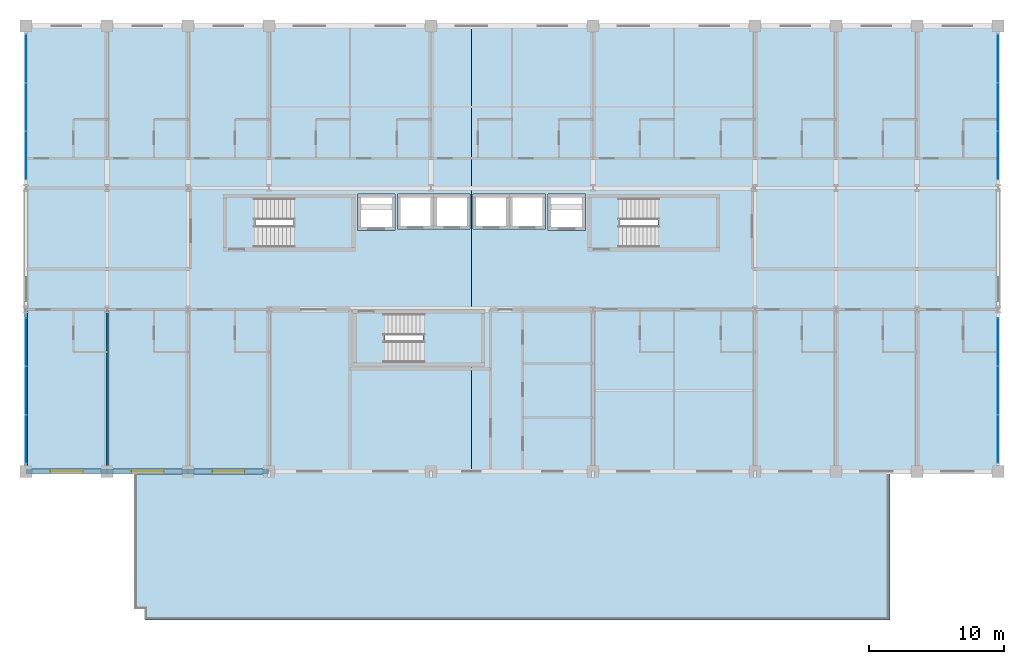
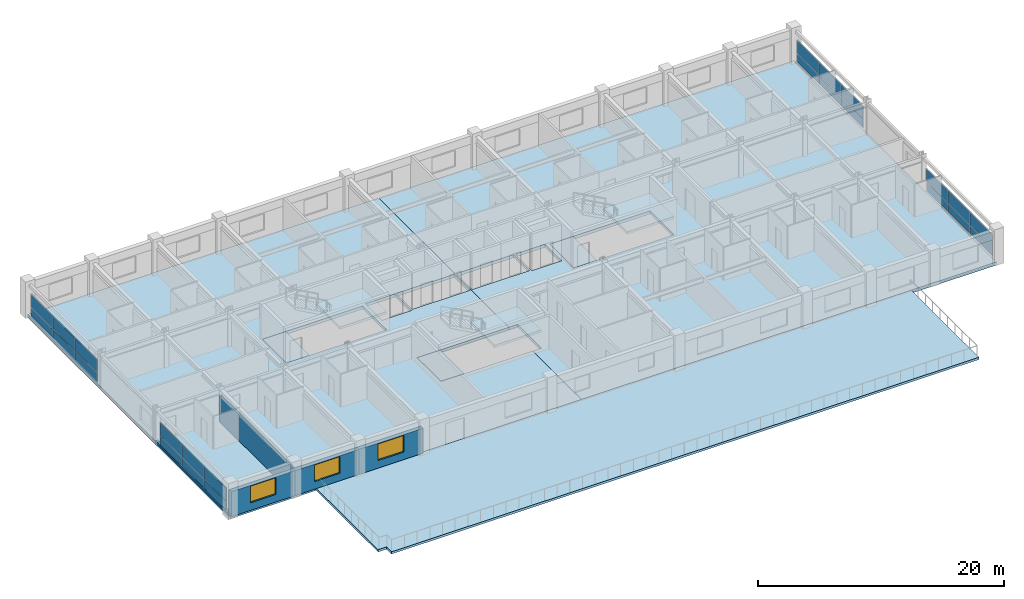
# One storey, part 15 of 24: 24 plates, 9 slabs, 5 walls, 3 windows, 3 openings, 7 elements without a shape of their own.
"""IFC4 building model written with IfcOpenShell, lengths in metres."""

from ifc_helpers import new_model, si_unit, direction, frame, frame_2d, origin, origin_2d, place, context, subcontext, project, spatial, polyline, rectangle, outline, extrude, material, layer, layer_set, type_object, element, fill, aggregate, save


model = new_model("IFC4")

# Units and contexts
model_context = context("Model", 3, precision=1e-05, world=origin(), true_north=direction((0.0, 1.0)))
body_context = subcontext(model_context, "Body", "Model", "MODEL_VIEW")
ifc_project = project(units=[si_unit("LENGTHUNIT", "METRE"), si_unit("AREAUNIT", "SQUARE_METRE"), si_unit("VOLUMEUNIT", "CUBIC_METRE"), si_unit("PLANEANGLEUNIT", "RADIAN"), si_unit("MASSUNIT", "GRAM", prefix="KILO")], contexts=[model_context])

# Site, building, storey
site_placement = place(None, origin())
site = spatial("IfcSite", under=ifc_project, at=site_placement, CompositionType="ELEMENT")
building_placement = place(site_placement, origin())
building = spatial("IfcBuilding", under=site, at=building_placement, Name="Kaldorvane Square Convention Centre", CompositionType="ELEMENT")
storey_placement = place(building_placement, frame((0.0, 0.0, 27.600006103515625)))
storey = spatial("IfcBuildingStorey", under=building, at=storey_placement, Name="L05", CompositionType="ELEMENT", Elevation=27.600006103515625)

# Curtain wall, plates
ifc_material_1 = material(Name="Anodized Aluminum and Low-E Insulated Glazing", Category="aluminium")
curtain_wall_type_1 = type_object("IfcCurtainWallType", Name="CW-UNI-HTL-A", PredefinedType="USERDEFINED", material=ifc_material_1)
curtain_wall_1_placement = place(storey_placement, origin())
curtain_wall_1 = element("IfcCurtainWall", 1, at=curtain_wall_1_placement, inside=storey, type_object=curtain_wall_type_1, Name="Curtain Wall CW-10 (L05)", ObjectType="UNITISED GLAZING", PredefinedType="USERDEFINED")
ifc_layer_1 = layer(ifc_material_1, 0.0240020751953125)
ifc_layer_set_1 = layer_set([ifc_layer_1], Name="Anodized Aluminum and Low-E Insulated Glazing")
plate_type_1 = type_object("IfcPlateType", Name="CW-PNL-11", PredefinedType="CURTAIN_PANEL", material=ifc_layer_set_1)
plate_1_placement = place(storey_placement, frame((96.0, 86.41499328613281, 0.204986572265625), z_axis=(0.0, 0.0, 1.0), x_axis=(0.0, 1.0, 0.0)))
plate_1 = element("IfcPlate", 2, at=plate_1_placement, type_object=plate_type_1, Name="CW-10 panel 1.1", PredefinedType="CURTAIN_PANEL", context=body_context, shape_type="SweptSolid", body=[
    extrude(rectangle(XDim=3.5099945068359375, YDim=0.0240020751953125, at=origin_2d()), origin(), (0.0, 0.0, 1.0), 0.8175048828125),
])
plate_2_placement = place(storey_placement, frame((96.0, 86.41499328613281, 1.0774993896484375), z_axis=(0.0, 0.0, 1.0), x_axis=(0.0, 1.0, 0.0)))
plate_2 = element("IfcPlate", 3, at=plate_2_placement, type_object=plate_type_1, Name="CW-10 panel 1.2", PredefinedType="CURTAIN_PANEL", context=body_context, shape_type="SweptSolid", body=[
    extrude(rectangle(XDim=3.5099945068359375, YDim=0.0240020751953125, at=origin_2d()), origin(), (0.0, 0.0, 1.0), 1.277496337890625),
])
plate_3_placement = place(storey_placement, frame((96.0, 90.0, 0.204986572265625), z_axis=(0.0, 0.0, 1.0), x_axis=(0.0, 1.0, 0.0)))
plate_3 = element("IfcPlate", 4, at=plate_3_placement, type_object=plate_type_1, Name="CW-10 panel 2.1", PredefinedType="CURTAIN_PANEL", context=body_context, shape_type="SweptSolid", body=[
    extrude(rectangle(XDim=3.5399932861328125, YDim=0.0240020751953125, at=origin_2d()), origin(), (0.0, 0.0, 1.0), 0.8175048828125),
])
plate_4_placement = place(storey_placement, frame((96.0, 90.0, 1.0774993896484375), z_axis=(0.0, 0.0, 1.0), x_axis=(0.0, 1.0, 0.0)))
plate_4 = element("IfcPlate", 5, at=plate_4_placement, type_object=plate_type_1, Name="CW-10 panel 2.2", PredefinedType="CURTAIN_PANEL", context=body_context, shape_type="SweptSolid", body=[
    extrude(rectangle(XDim=3.5399932861328125, YDim=0.0240020751953125, at=origin_2d()), origin(), (0.0, 0.0, 1.0), 1.277496337890625),
])
plate_5_placement = place(storey_placement, frame((96.0, 93.58500671386719, 0.204986572265625), z_axis=(0.0, 0.0, 1.0), x_axis=(0.0, 1.0, 0.0)))
plate_5 = element("IfcPlate", 6, at=plate_5_placement, type_object=plate_type_1, Name="CW-10 panel 3.1", PredefinedType="CURTAIN_PANEL", context=body_context, shape_type="SweptSolid", body=[
    extrude(rectangle(XDim=3.5099945068359375, YDim=0.0240020751953125, at=origin_2d()), origin(), (0.0, 0.0, 1.0), 0.8175048828125),
])
plate_6_placement = place(storey_placement, frame((96.0, 93.58500671386719, 1.0774993896484375), z_axis=(0.0, 0.0, 1.0), x_axis=(0.0, 1.0, 0.0)))
plate_6 = element("IfcPlate", 7, at=plate_6_placement, type_object=plate_type_1, Name="CW-10 panel 3.2", PredefinedType="CURTAIN_PANEL", context=body_context, shape_type="SweptSolid", body=[
    extrude(rectangle(XDim=3.5099945068359375, YDim=0.0240020751953125, at=origin_2d()), origin(), (0.0, 0.0, 1.0), 1.277496337890625),
])
aggregate(curtain_wall_1, [plate_1, plate_2, plate_3, plate_4, plate_5, plate_6])

curtain_wall_2_placement = place(storey_placement, origin())
curtain_wall_2 = element("IfcCurtainWall", 8, at=curtain_wall_2_placement, inside=storey, type_object=curtain_wall_type_1, Name="Curtain Wall CW-10 (L05)", ObjectType="UNITISED GLAZING", PredefinedType="USERDEFINED")
plate_7_placement = place(storey_placement, frame((96.0, 107.41499328613281, 0.204986572265625), z_axis=(0.0, 0.0, 1.0), x_axis=(0.0, 1.0, 0.0)))
plate_7 = element("IfcPlate", 9, at=plate_7_placement, type_object=plate_type_1, Name="CW-10 panel 1.1", PredefinedType="CURTAIN_PANEL", context=body_context, shape_type="SweptSolid", body=[
    extrude(rectangle(XDim=3.5099945068359375, YDim=0.0240020751953125, at=origin_2d()), origin(), (0.0, 0.0, 1.0), 0.8175048828125),
])
plate_8_placement = place(storey_placement, frame((96.0, 107.41499328613281, 1.0774993896484375), z_axis=(0.0, 0.0, 1.0), x_axis=(0.0, 1.0, 0.0)))
plate_8 = element("IfcPlate", 10, at=plate_8_placement, type_object=plate_type_1, Name="CW-10 panel 1.2", PredefinedType="CURTAIN_PANEL", context=body_context, shape_type="SweptSolid", body=[
    extrude(rectangle(XDim=3.5099945068359375, YDim=0.0240020751953125, at=origin_2d()), origin(), (0.0, 0.0, 1.0), 1.277496337890625),
])
plate_9_placement = place(storey_placement, frame((96.0, 111.0, 0.204986572265625), z_axis=(0.0, 0.0, 1.0), x_axis=(0.0, 1.0, 0.0)))
plate_9 = element("IfcPlate", 11, at=plate_9_placement, type_object=plate_type_1, Name="CW-10 panel 2.1", PredefinedType="CURTAIN_PANEL", context=body_context, shape_type="SweptSolid", body=[
    extrude(rectangle(XDim=3.5399932861328125, YDim=0.0240020751953125, at=origin_2d()), origin(), (0.0, 0.0, 1.0), 0.8175048828125),
])
plate_10_placement = place(storey_placement, frame((96.0, 111.0, 1.0774993896484375), z_axis=(0.0, 0.0, 1.0), x_axis=(0.0, 1.0, 0.0)))
plate_10 = element("IfcPlate", 12, at=plate_10_placement, type_object=plate_type_1, Name="CW-10 panel 2.2", PredefinedType="CURTAIN_PANEL", context=body_context, shape_type="SweptSolid", body=[
    extrude(rectangle(XDim=3.5399932861328125, YDim=0.0240020751953125, at=origin_2d()), origin(), (0.0, 0.0, 1.0), 1.277496337890625),
])
plate_11_placement = place(storey_placement, frame((96.0, 114.58500671386719, 0.204986572265625), z_axis=(0.0, 0.0, 1.0), x_axis=(0.0, 1.0, 0.0)))
plate_11 = element("IfcPlate", 13, at=plate_11_placement, type_object=plate_type_1, Name="CW-10 panel 3.1", PredefinedType="CURTAIN_PANEL", context=body_context, shape_type="SweptSolid", body=[
    extrude(rectangle(XDim=3.5099945068359375, YDim=0.0240020751953125, at=origin_2d()), origin(), (0.0, 0.0, 1.0), 0.8175048828125),
])
plate_12_placement = place(storey_placement, frame((96.0, 114.58500671386719, 1.0774993896484375), z_axis=(0.0, 0.0, 1.0), x_axis=(0.0, 1.0, 0.0)))
plate_12 = element("IfcPlate", 14, at=plate_12_placement, type_object=plate_type_1, Name="CW-10 panel 3.2", PredefinedType="CURTAIN_PANEL", context=body_context, shape_type="SweptSolid", body=[
    extrude(rectangle(XDim=3.5099945068359375, YDim=0.0240020751953125, at=origin_2d()), origin(), (0.0, 0.0, 1.0), 1.277496337890625),
])
aggregate(curtain_wall_2, [plate_7, plate_8, plate_9, plate_10, plate_11, plate_12])

curtain_wall_type_2 = type_object("IfcCurtainWallType", Name="CW-UNI-HTL-B", PredefinedType="USERDEFINED", material=ifc_material_1)
curtain_wall_3_placement = place(storey_placement, origin())
curtain_wall_3 = element("IfcCurtainWall", 15, at=curtain_wall_3_placement, inside=storey, type_object=curtain_wall_type_2, Name="Curtain Wall CW-11 (L05)", ObjectType="UNITISED GLAZING", PredefinedType="USERDEFINED")
ifc_layer_2 = layer(ifc_material_1, 0.0460052490234375)
ifc_layer_set_2 = layer_set([ifc_layer_2], Name="Anodized Aluminum and Low-E Insulated Glazing")
plate_type_2 = type_object("IfcPlateType", Name="CW-PNL-12", PredefinedType="CURTAIN_PANEL", material=ifc_layer_set_2)
plate_13_placement = place(storey_placement, frame((24.0, 93.58500671386719, 0.204986572265625), z_axis=(0.0, 0.0, 1.0), x_axis=(0.0, -1.0, 0.0)))
plate_13 = element("IfcPlate", 16, at=plate_13_placement, type_object=plate_type_2, Name="CW-11 panel 1.1", PredefinedType="CURTAIN_PANEL", context=body_context, shape_type="SweptSolid", body=[
    extrude(rectangle(XDim=3.5099945068359375, YDim=0.0460052490234375, at=origin_2d()), origin(), (0.0, 0.0, 1.0), 0.8175048828125),
])
plate_14_placement = place(storey_placement, frame((24.0, 93.58500671386719, 1.0774993896484375), z_axis=(0.0, 0.0, 1.0), x_axis=(0.0, -1.0, 0.0)))
plate_14 = element("IfcPlate", 17, at=plate_14_placement, type_object=plate_type_2, Name="CW-11 panel 1.2", PredefinedType="CURTAIN_PANEL", context=body_context, shape_type="SweptSolid", body=[
    extrude(rectangle(XDim=3.5099945068359375, YDim=0.0460052490234375, at=origin_2d()), origin(), (0.0, 0.0, 1.0), 1.277496337890625),
])
plate_15_placement = place(storey_placement, frame((24.0, 90.0, 0.204986572265625), z_axis=(0.0, 0.0, 1.0), x_axis=(0.0, -1.0, 0.0)))
plate_15 = element("IfcPlate", 18, at=plate_15_placement, type_object=plate_type_2, Name="CW-11 panel 2.1", PredefinedType="CURTAIN_PANEL", context=body_context, shape_type="SweptSolid", body=[
    extrude(rectangle(XDim=3.5399932861328125, YDim=0.0460052490234375, at=origin_2d()), origin(), (0.0, 0.0, 1.0), 0.8175048828125),
])
plate_16_placement = place(storey_placement, frame((24.0, 90.0, 1.0774993896484375), z_axis=(0.0, 0.0, 1.0), x_axis=(0.0, -1.0, 0.0)))
plate_16 = element("IfcPlate", 19, at=plate_16_placement, type_object=plate_type_2, Name="CW-11 panel 2.2", PredefinedType="CURTAIN_PANEL", context=body_context, shape_type="SweptSolid", body=[
    extrude(rectangle(XDim=3.5399932861328125, YDim=0.0460052490234375, at=origin_2d()), origin(), (0.0, 0.0, 1.0), 1.277496337890625),
])
plate_17_placement = place(storey_placement, frame((24.0, 86.41499328613281, 0.204986572265625), z_axis=(0.0, 0.0, 1.0), x_axis=(0.0, -1.0, 0.0)))
plate_17 = element("IfcPlate", 20, at=plate_17_placement, type_object=plate_type_2, Name="CW-11 panel 3.1", PredefinedType="CURTAIN_PANEL", context=body_context, shape_type="SweptSolid", body=[
    extrude(rectangle(XDim=3.5099945068359375, YDim=0.0460052490234375, at=origin_2d()), origin(), (0.0, 0.0, 1.0), 0.8175048828125),
])
plate_18_placement = place(storey_placement, frame((24.0, 86.41499328613281, 1.0774993896484375), z_axis=(0.0, 0.0, 1.0), x_axis=(0.0, -1.0, 0.0)))
plate_18 = element("IfcPlate", 21, at=plate_18_placement, type_object=plate_type_2, Name="CW-11 panel 3.2", PredefinedType="CURTAIN_PANEL", context=body_context, shape_type="SweptSolid", body=[
    extrude(rectangle(XDim=3.5099945068359375, YDim=0.0460052490234375, at=origin_2d()), origin(), (0.0, 0.0, 1.0), 1.277496337890625),
])
aggregate(curtain_wall_3, [plate_13, plate_14, plate_15, plate_16, plate_17, plate_18])

curtain_wall_4_placement = place(storey_placement, origin())
curtain_wall_4 = element("IfcCurtainWall", 22, at=curtain_wall_4_placement, inside=storey, type_object=curtain_wall_type_2, Name="Curtain Wall CW-11 (L05)", ObjectType="UNITISED GLAZING", PredefinedType="USERDEFINED")
plate_19_placement = place(storey_placement, frame((24.0, 114.58500671386719, 0.204986572265625), z_axis=(0.0, 0.0, 1.0), x_axis=(0.0, -1.0, 0.0)))
plate_19 = element("IfcPlate", 23, at=plate_19_placement, type_object=plate_type_2, Name="CW-11 panel 1.1", PredefinedType="CURTAIN_PANEL", context=body_context, shape_type="SweptSolid", body=[
    extrude(rectangle(XDim=3.5099945068359375, YDim=0.0460052490234375, at=origin_2d()), origin(), (0.0, 0.0, 1.0), 0.8175048828125),
])
plate_20_placement = place(storey_placement, frame((24.0, 114.58500671386719, 1.0774993896484375), z_axis=(0.0, 0.0, 1.0), x_axis=(0.0, -1.0, 0.0)))
plate_20 = element("IfcPlate", 24, at=plate_20_placement, type_object=plate_type_2, Name="CW-11 panel 1.2", PredefinedType="CURTAIN_PANEL", context=body_context, shape_type="SweptSolid", body=[
    extrude(rectangle(XDim=3.5099945068359375, YDim=0.0460052490234375, at=origin_2d()), origin(), (0.0, 0.0, 1.0), 1.277496337890625),
])
plate_21_placement = place(storey_placement, frame((24.0, 111.0, 0.204986572265625), z_axis=(0.0, 0.0, 1.0), x_axis=(0.0, -1.0, 0.0)))
plate_21 = element("IfcPlate", 25, at=plate_21_placement, type_object=plate_type_2, Name="CW-11 panel 2.1", PredefinedType="CURTAIN_PANEL", context=body_context, shape_type="SweptSolid", body=[
    extrude(rectangle(XDim=3.5399932861328125, YDim=0.0460052490234375, at=origin_2d()), origin(), (0.0, 0.0, 1.0), 0.8175048828125),
])
plate_22_placement = place(storey_placement, frame((24.0, 111.0, 1.0774993896484375), z_axis=(0.0, 0.0, 1.0), x_axis=(0.0, -1.0, 0.0)))
plate_22 = element("IfcPlate", 26, at=plate_22_placement, type_object=plate_type_2, Name="CW-11 panel 2.2", PredefinedType="CURTAIN_PANEL", context=body_context, shape_type="SweptSolid", body=[
    extrude(rectangle(XDim=3.5399932861328125, YDim=0.0460052490234375, at=origin_2d()), origin(), (0.0, 0.0, 1.0), 1.277496337890625),
])
plate_23_placement = place(storey_placement, frame((24.0, 107.41499328613281, 0.204986572265625), z_axis=(0.0, 0.0, 1.0), x_axis=(0.0, -1.0, 0.0)))
plate_23 = element("IfcPlate", 27, at=plate_23_placement, type_object=plate_type_2, Name="CW-11 panel 3.1", PredefinedType="CURTAIN_PANEL", context=body_context, shape_type="SweptSolid", body=[
    extrude(rectangle(XDim=3.5099945068359375, YDim=0.0460052490234375, at=origin_2d()), origin(), (0.0, 0.0, 1.0), 0.8175048828125),
])
plate_24_placement = place(storey_placement, frame((24.0, 107.41499328613281, 1.0774993896484375), z_axis=(0.0, 0.0, 1.0), x_axis=(0.0, -1.0, 0.0)))
plate_24 = element("IfcPlate", 28, at=plate_24_placement, type_object=plate_type_2, Name="CW-11 panel 3.2", PredefinedType="CURTAIN_PANEL", context=body_context, shape_type="SweptSolid", body=[
    extrude(rectangle(XDim=3.5099945068359375, YDim=0.0460052490234375, at=origin_2d()), origin(), (0.0, 0.0, 1.0), 1.277496337890625),
])
aggregate(curtain_wall_4, [plate_19, plate_20, plate_21, plate_22, plate_23, plate_24])

# Slabs
ifc_material_2 = material(Name="Concrete f'c = 42 MPa (Normalweight)", Category="concrete")
ifc_layer_3 = layer(ifc_material_2, 0.279998779296875)
ifc_layer_set_3 = layer_set([ifc_layer_3], Name="Concrete f'c = 42 MPa (Normalweight)")
slab_type_1 = type_object("IfcSlabType", Name="SL-FLND-280", PredefinedType="FLOOR", material=ifc_layer_set_3)
slab_1_placement = place(storey_placement, frame((0.0, 0.0, -0.279998779296875)))
element("IfcSlab", 29, at=slab_1_placement, inside=storey, type_object=slab_type_1, Name="Tower Exit Stair T1 Floor Landing (L05)", PredefinedType="FLOOR", context=body_context, shape_type="SweptSolid", body=[
    extrude(outline(polyline([(38.779998779296875, 100.49000549316406), (40.97999572753906, 100.49000549316406), (40.97999572753906, 104.3699951171875), (38.779998779296875, 104.3699951171875), (38.779998779296875, 100.49000549316406)])), origin(), (0.0, 0.0, 1.0), 0.279998779296875),
])
slab_2_placement = place(storey_placement, frame((0.0, 0.0, -0.279998779296875)))
element("IfcSlab", 30, at=slab_2_placement, inside=storey, type_object=slab_type_1, Name="Tower Exit Stair T2 Floor Landing (L05)", PredefinedType="FLOOR", context=body_context, shape_type="SweptSolid", body=[
    extrude(outline(polyline([(65.77999877929688, 100.49000549316406), (67.97999572753906, 100.49000549316406), (67.97999572753906, 104.3699951171875), (65.77999877929688, 104.3699951171875), (65.77999877929688, 100.49000549316406)])), origin(), (0.0, 0.0, 1.0), 0.279998779296875),
])
slab_3_placement = place(storey_placement, frame((0.0, 0.0, -0.279998779296875)))
element("IfcSlab", 31, at=slab_3_placement, inside=storey, type_object=slab_type_1, Name="Tower Exit Stair T3 Floor Landing (L05)", PredefinedType="FLOOR", context=body_context, shape_type="SweptSolid", body=[
    extrude(outline(polyline([(48.3800048828125, 91.94000244140625), (50.58000183105469, 91.94000244140625), (50.58000183105469, 95.82000732421875), (48.3800048828125, 95.82000732421875), (48.3800048828125, 91.94000244140625)])), origin(), (0.0, 0.0, 1.0), 0.279998779296875),
])
ifc_layer_4 = layer(ifc_material_2, 0.30999755859375)
ifc_layer_set_4 = layer_set([ifc_layer_4], Name="Concrete f'c = 42 MPa (Normalweight)")
slab_type_2 = type_object("IfcSlabType", Name="SL-HTL-250", PredefinedType="FLOOR", material=ifc_layer_set_4)
slab_4_placement = place(storey_placement, frame((0.0, 0.0, -0.3100128173828125)))
element("IfcSlab", 32, at=slab_4_placement, inside=storey, type_object=slab_type_2, Name="Hotel Tower Floor Slab L05-1.1", PredefinedType="FLOOR", context=body_context, shape_type="SweptSolid", body=[
    extrude(outline(polyline([(24.0, 117.0), (57.0, 117.0), (57.0, 95.82000732421875), (48.3800048828125, 95.82000732421875), (48.3800048828125, 91.94000244140625), (57.0, 91.94000244140625), (57.0, 84.0), (24.0, 84.0), (24.0, 117.0)]), holes=[polyline([(38.779998779296875, 104.3699951171875), (38.779998779296875, 100.49000549316406), (48.220001220703125, 100.49000549316406), (48.220001220703125, 104.3699951171875), (38.779998779296875, 104.3699951171875)]), polyline([(48.55000305175781, 104.55000305175781), (48.55000305175781, 101.85000610351562), (51.350006103515625, 101.85000610351562), (51.350006103515625, 104.55000305175781), (48.55000305175781, 104.55000305175781)]), polyline([(51.5, 104.55000305175781), (51.5, 101.94999694824219), (54.19999694824219, 101.94999694824219), (56.899993896484375, 101.94999694824219), (56.899993896484375, 104.55000305175781), (54.19999694824219, 104.55000305175781), (51.5, 104.55000305175781)])]), origin(), (0.0, 0.0, 1.0), 0.3100128173828125),
])
slab_5_placement = place(storey_placement, frame((0.0, 0.0, -0.3100128173828125)))
element("IfcSlab", 33, at=slab_5_placement, inside=storey, type_object=slab_type_2, Name="Hotel Tower Floor Slab L05-2.1", PredefinedType="FLOOR", context=body_context, shape_type="SweptSolid", body=[
    extrude(outline(polyline([(96.0, 117.0), (96.0, 84.0), (57.0, 84.0), (57.0, 91.94000244140625), (57.82000732421875, 91.94000244140625), (57.82000732421875, 95.82000732421875), (57.0, 95.82000732421875), (57.0, 117.0), (96.0, 117.0)]), holes=[polyline([(65.77999877929688, 104.3699951171875), (65.77999877929688, 100.49000549316406), (75.22000122070312, 100.49000549316406), (75.22000122070312, 104.3699951171875), (65.77999877929688, 104.3699951171875)]), polyline([(62.649993896484375, 104.55000305175781), (62.649993896484375, 101.85000610351562), (65.44999694824219, 101.85000610351562), (65.44999694824219, 104.55000305175781), (62.649993896484375, 104.55000305175781)]), polyline([(57.100006103515625, 104.55000305175781), (57.100006103515625, 101.94999694824219), (59.80000305175781, 101.94999694824219), (62.5, 101.94999694824219), (62.5, 104.55000305175781), (59.80000305175781, 104.55000305175781), (57.100006103515625, 104.55000305175781)])]), origin(), (0.0, 0.0, 1.0), 0.3100128173828125),
])

# Stair, slab
stair_type = type_object("IfcStairType", Name="ST-DL-1600-3600", PredefinedType="HALF_TURN_STAIR", material=ifc_material_2)
stair_1_placement = place(storey_placement, origin())
stair_1 = element("IfcStair", 34, at=stair_1_placement, inside=storey, type_object=stair_type, Name="Tower Exit Stair T1 (L05)", PredefinedType="HALF_TURN_STAIR")
ifc_layer_5 = layer(ifc_material_2, 0.2400054931640625)
ifc_layer_set_5 = layer_set([ifc_layer_5], Name="Concrete f'c = 42 MPa (Normalweight)")
slab_type_3 = type_object("IfcSlabType", Name="SL-LAND-240", PredefinedType="LANDING", material=ifc_layer_set_5)
slab_6_placement = place(storey_placement, frame((0.0, 0.0, 1.55999755859375)))
slab_6 = element("IfcSlab", 35, at=slab_6_placement, type_object=slab_type_3, Name="Tower Exit Stair T1 Half Landing (L05)", PredefinedType="LANDING", context=body_context, shape_type="SweptSolid", body=[
    extrude(outline(polyline([(43.82000732421875, 100.49000549316406), (48.220001220703125, 100.49000549316406), (48.220001220703125, 104.3699951171875), (43.82000732421875, 104.3699951171875), (43.82000732421875, 100.49000549316406)])), origin(), (0.0, 0.0, 1.0), 0.239990234375),
])
aggregate(stair_1, [slab_6])

stair_2_placement = place(storey_placement, origin())
stair_2 = element("IfcStair", 36, at=stair_2_placement, inside=storey, type_object=stair_type, Name="Tower Exit Stair T2 (L05)", PredefinedType="HALF_TURN_STAIR")
slab_7_placement = place(storey_placement, frame((0.0, 0.0, 1.55999755859375)))
slab_7 = element("IfcSlab", 37, at=slab_7_placement, type_object=slab_type_3, Name="Tower Exit Stair T2 Half Landing (L05)", PredefinedType="LANDING", context=body_context, shape_type="SweptSolid", body=[
    extrude(outline(polyline([(70.82000732421875, 100.49000549316406), (75.22000122070312, 100.49000549316406), (75.22000122070312, 104.3699951171875), (70.82000732421875, 104.3699951171875), (70.82000732421875, 100.49000549316406)])), origin(), (0.0, 0.0, 1.0), 0.239990234375),
])
aggregate(stair_2, [slab_7])

stair_3_placement = place(storey_placement, origin())
stair_3 = element("IfcStair", 38, at=stair_3_placement, inside=storey, type_object=stair_type, Name="Tower Exit Stair T3 (L05)", PredefinedType="HALF_TURN_STAIR")
slab_8_placement = place(storey_placement, frame((0.0, 0.0, 1.55999755859375)))
slab_8 = element("IfcSlab", 39, at=slab_8_placement, type_object=slab_type_3, Name="Tower Exit Stair T3 Half Landing (L05)", PredefinedType="LANDING", context=body_context, shape_type="SweptSolid", body=[
    extrude(outline(polyline([(53.41999816894531, 91.94000244140625), (57.82000732421875, 91.94000244140625), (57.82000732421875, 95.82000732421875), (53.41999816894531, 95.82000732421875), (53.41999816894531, 91.94000244140625)])), origin(), (0.0, 0.0, 1.0), 0.239990234375),
])
aggregate(stair_3, [slab_8])

# Slab
ifc_layer_6 = layer(ifc_material_2, 0.225006103515625)
ifc_layer_set_6 = layer_set([ifc_layer_6], Name="Concrete f'c = 42 MPa (Normalweight)")
slab_type_4 = type_object("IfcSlabType", Name="SL-TERR-225", PredefinedType="FLOOR", material=ifc_layer_set_6)
slab_9_placement = place(storey_placement, frame((0.0, 0.0, -0.225006103515625)))
element("IfcSlab", 40, at=slab_9_placement, inside=storey, type_object=slab_type_4, Name="Planted Podium Roof Terrace Slab (L05)", PredefinedType="FLOOR", context=body_context, shape_type="SweptSolid", body=[
    extrude(outline(polyline([(32.0, 84.0), (88.0, 84.0), (88.0, 73.0), (32.80000305175781, 73.0), (32.80000305175781, 73.80000305175781), (32.0, 73.80000305175781), (32.0, 84.0)])), origin(), (0.0, 0.0, 1.0), 0.225006103515625),
])

# Wall, opening, window
ifc_layer_7 = layer(ifc_material_2, 0.350006103515625)
ifc_layer_set_7 = layer_set([ifc_layer_7], Name="Concrete f'c = 42 MPa (Normalweight)")
wall_type_1 = type_object("IfcWallType", Name="WL-EXT-350", PredefinedType="STANDARD", material=ifc_layer_set_7)
wall_1_placement = place(storey_placement, frame((24.0, 84.0, 0.0), z_axis=(0.0, 0.0, 1.0), x_axis=(1.0, 0.0, 0.0)))
wall_1 = element("IfcWall", 41, at=wall_1_placement, inside=storey, type_object=wall_type_1, Name="Hotel S Brutalist Facade Wall (L05)", PredefinedType="STANDARD", context=body_context, shape_type="SweptSolid", body=[
    extrude(rectangle(XDim=6.0, YDim=0.350006103515625, at=frame_2d((3.0, 0.0))), origin(), (0.0, 0.0, 1.0), 2.485992431640625),
])
opening_1_placement = place(wall_1_placement, frame((1.8000030517578125, 0.0, 0.75)))
opening_1 = element("IfcOpeningElement", 42, at=opening_1_placement, cuts=wall_1, Name="Opening W-01", PredefinedType="OPENING", context=body_context, shape_type="SweptSolid", body=[
    extrude(rectangle(XDim=2.399993896484375, YDim=1.649993896484375, at=frame_2d((1.1999969482421875, 0.8249969482421875))), frame((0.0, 0.19000244140625, 0.0), z_axis=(0.0, -1.0, 0.0), x_axis=(1.0, 0.0, 0.0)), (0.0, 0.0, 1.0), 0.3800048828125),
])
window_type = type_object("IfcWindowType", Name="WN-HTL-2400X1650", PartitioningType="DOUBLE_PANEL_VERTICAL", PredefinedType="WINDOW", material=ifc_material_1)
window_1_placement = place(opening_1_placement, origin())
window_1 = element("IfcWindow", 43, at=window_1_placement, inside=storey, type_object=window_type, Name="Hotel S Window (L05)", OverallHeight=1.649993896484375, OverallWidth=2.399993896484375, PartitioningType="DOUBLE_PANEL_VERTICAL", PredefinedType="WINDOW", context=body_context, shape_type="SweptSolid", body=[
    extrude(rectangle(XDim=2.399993896484375, YDim=1.649993896484375, at=frame_2d((1.1999969482421875, 0.8249969482421875))), frame((0.0, 0.029998779296875, 0.0), z_axis=(0.0, -1.0, 0.0), x_axis=(1.0, 0.0, 0.0)), (0.0, 0.0, 1.0), 0.05999755859375),
])
fill(opening_1, window_1)

wall_2_placement = place(storey_placement, frame((30.0, 84.0, 0.0), z_axis=(0.0, 0.0, 1.0), x_axis=(1.0, 0.0, 0.0)))
wall_2 = element("IfcWall", 44, at=wall_2_placement, inside=storey, type_object=wall_type_1, Name="Hotel S Brutalist Facade Wall (L05)", PredefinedType="STANDARD", context=body_context, shape_type="SweptSolid", body=[
    extrude(rectangle(XDim=6.0, YDim=0.350006103515625, at=frame_2d((3.0, 0.0))), origin(), (0.0, 0.0, 1.0), 2.485992431640625),
])
opening_2_placement = place(wall_2_placement, frame((1.8000030517578125, 0.0, 0.75)))
opening_2 = element("IfcOpeningElement", 45, at=opening_2_placement, cuts=wall_2, Name="Opening W-01", PredefinedType="OPENING", context=body_context, shape_type="SweptSolid", body=[
    extrude(rectangle(XDim=2.399993896484375, YDim=1.649993896484375, at=frame_2d((1.1999969482421875, 0.8249969482421875))), frame((0.0, 0.19000244140625, 0.0), z_axis=(0.0, -1.0, 0.0), x_axis=(1.0, 0.0, 0.0)), (0.0, 0.0, 1.0), 0.3800048828125),
])
window_2_placement = place(opening_2_placement, origin())
window_2 = element("IfcWindow", 46, at=window_2_placement, inside=storey, type_object=window_type, Name="Hotel S Window (L05)", OverallHeight=1.649993896484375, OverallWidth=2.399993896484375, PartitioningType="DOUBLE_PANEL_VERTICAL", PredefinedType="WINDOW", context=body_context, shape_type="SweptSolid", body=[
    extrude(rectangle(XDim=2.399993896484375, YDim=1.649993896484375, at=frame_2d((1.1999969482421875, 0.8249969482421875))), frame((0.0, 0.029998779296875, 0.0), z_axis=(0.0, -1.0, 0.0), x_axis=(1.0, 0.0, 0.0)), (0.0, 0.0, 1.0), 0.05999755859375),
])
fill(opening_2, window_2)

wall_3_placement = place(storey_placement, frame((36.0, 84.0, 0.0), z_axis=(0.0, 0.0, 1.0), x_axis=(1.0, 0.0, 0.0)))
wall_3 = element("IfcWall", 47, at=wall_3_placement, inside=storey, type_object=wall_type_1, Name="Hotel S Brutalist Facade Wall (L05)", PredefinedType="STANDARD", context=body_context, shape_type="SweptSolid", body=[
    extrude(rectangle(XDim=6.0, YDim=0.350006103515625, at=frame_2d((3.0, 0.0))), origin(), (0.0, 0.0, 1.0), 2.485992431640625),
])
opening_3_placement = place(wall_3_placement, frame((1.8000030517578125, 0.0, 0.75)))
opening_3 = element("IfcOpeningElement", 48, at=opening_3_placement, cuts=wall_3, Name="Opening W-01", PredefinedType="OPENING", context=body_context, shape_type="SweptSolid", body=[
    extrude(rectangle(XDim=2.399993896484375, YDim=1.649993896484375, at=frame_2d((1.1999969482421875, 0.8249969482421875))), frame((0.0, 0.19000244140625, 0.0), z_axis=(0.0, -1.0, 0.0), x_axis=(1.0, 0.0, 0.0)), (0.0, 0.0, 1.0), 0.3800048828125),
])
window_3_placement = place(opening_3_placement, origin())
window_3 = element("IfcWindow", 49, at=window_3_placement, inside=storey, type_object=window_type, Name="Hotel S Window (L05)", OverallHeight=1.649993896484375, OverallWidth=2.399993896484375, PartitioningType="DOUBLE_PANEL_VERTICAL", PredefinedType="WINDOW", context=body_context, shape_type="SweptSolid", body=[
    extrude(rectangle(XDim=2.399993896484375, YDim=1.649993896484375, at=frame_2d((1.1999969482421875, 0.8249969482421875))), frame((0.0, 0.029998779296875, 0.0), z_axis=(0.0, -1.0, 0.0), x_axis=(1.0, 0.0, 0.0)), (0.0, 0.0, 1.0), 0.05999755859375),
])
fill(opening_3, window_3)

# Walls
ifc_material_3 = material(Name="Concrete f'c = 35 MPa (Normalweight)", Category="concrete")
ifc_layer_8 = layer(ifc_material_3, 0.220001220703125)
ifc_layer_set_8 = layer_set([ifc_layer_8], Name="Concrete f'c = 35 MPa (Normalweight)")
wall_type_2 = type_object("IfcWallType", Name="WL-PAR-220", PredefinedType="PARAPET", material=ifc_layer_set_8)
wall_4_placement = place(storey_placement, frame((24.0, 96.0, 0.0), z_axis=(0.0, 0.0, 1.0), x_axis=(0.0, -1.0, 0.0)))
element("IfcWall", 50, at=wall_4_placement, inside=storey, type_object=wall_type_2, Name="Hotel End Curtain-Wall Sill (L05)", PredefinedType="PARAPET", context=body_context, shape_type="SweptSolid", body=[
    extrude(rectangle(XDim=12.0, YDim=0.220001220703125, at=frame_2d((6.0, 0.0))), origin(), (0.0, 0.0, 1.0), 0.1999969482421875),
])
ifc_material_4 = material(Name="Fire-Rated Gypsum Board on Acoustic Steel Studs", Category="steel")
ifc_layer_9 = layer(ifc_material_4, 0.17999267578125)
ifc_layer_set_9 = layer_set([ifc_layer_9], Name="Fire-Rated Gypsum Board on Acoustic Steel Studs")
wall_type_3 = type_object("IfcWallType", Name="WL-UNIT-180", PredefinedType="PARTITIONING", material=ifc_layer_set_9)
wall_5_placement = place(storey_placement, frame((30.0, 84.17500305175781, 0.0), z_axis=(0.0, 0.0, 1.0), x_axis=(0.0, 1.0, 0.0)))
element("IfcWall", 51, at=wall_5_placement, inside=storey, type_object=wall_type_3, Name="Guestroom Demising Wall 513", PredefinedType="PARTITIONING", context=body_context, shape_type="SweptSolid", body=[
    extrude(rectangle(XDim=11.824996948242188, YDim=0.17999267578125, at=frame_2d((5.912506103515625, 0.0))), origin(), (0.0, 0.0, 1.0), 2.589996337890625),
])

save(model, "model.ifc")
